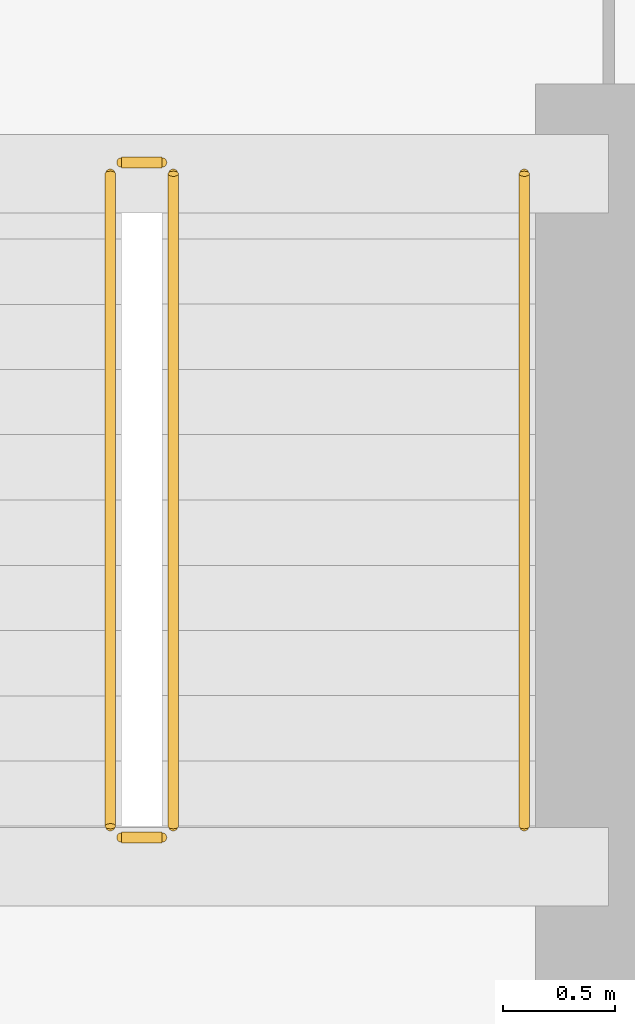
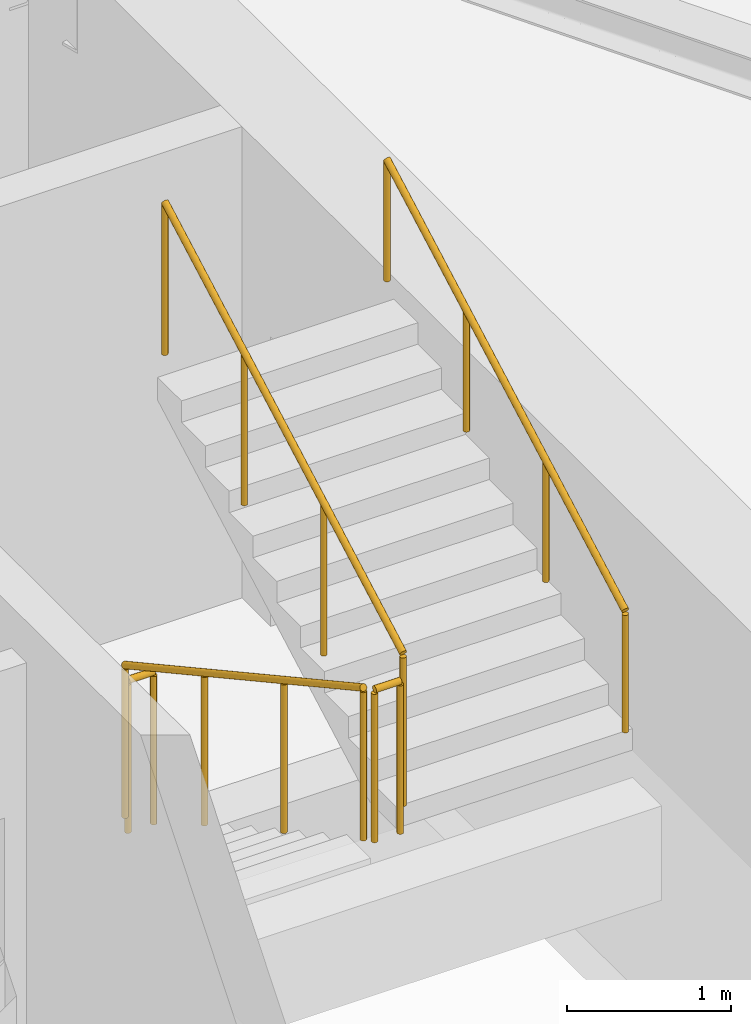
# One storey, part 9 of 9: 5 railings.
"""IFC4 building model written with IfcOpenShell, lengths in metres."""

import ifcopenshell
import ifcopenshell.guid

model = None  # the IFC model being written
_history = None  # IfcOwnerHistory: only IFC2X3 demands one
_inside = {}  # id of a spatial element -> (the spatial element, [elements in it])
_under = {}  # id of a project, library or spatial element -> (it, [spatial elements below it])
_declared = {}  # id of a project -> (the project, [libraries it declares])
_typed = {}  # id of a type object -> (the type object, [elements of that type])
_made_of = {}  # id of a material, layer set ... -> (it, [elements and type objects made of it])


def new_model(schema):
    """Start an empty IFC model of exactly this schema.

    Asked for "IFC4X3", IfcOpenShell would pick the latest addendum, in which some entities
    have other attributes; the version numbers below select the first issue.
    IFC2X3 requires an IfcOwnerHistory on every rooted entity: one is made here for all.
    """
    global model, _history
    if schema == "IFC4X3":
        model = ifcopenshell.file(schema_version=(4, 3, 0, 0))
    else:
        model = ifcopenshell.file(schema=schema)
    _inside.clear()
    _under.clear()
    _declared.clear()
    _typed.clear()
    _made_of.clear()
    _history = None
    if model.schema == "IFC2X3":
        org = make("IfcOrganization", Name="unknown")
        user = make(
            "IfcPersonAndOrganization",
            ThePerson=make("IfcPerson", FamilyName="unknown"),
            TheOrganization=org,
        )
        app = make(
            "IfcApplication",
            ApplicationDeveloper=org,
            Version="unknown",
            ApplicationFullName="unknown",
            ApplicationIdentifier="unknown",
        )
        _history = make(
            "IfcOwnerHistory",
            OwningUser=user,
            OwningApplication=app,
            ChangeAction="ADDED",
            CreationDate=0,
        )
    return model


def make(cls, **values):
    """One entity of the class cls with the attributes given. An attribute that is None is left unset."""
    return model.create_entity(
        cls, **{name: value for name, value in values.items() if value is not None}
    )


def rooted(cls, **values):
    """An entity with a GlobalId (a new one), such as an element, a storey or a relation."""
    return make(cls, GlobalId=ifcopenshell.guid.new(), OwnerHistory=_history, **values)


def si_unit(unit_type, name, prefix=None):
    """IfcSIUnit, for example si_unit("LENGTHUNIT", "METRE", prefix="MILLI")."""
    return make("IfcSIUnit", UnitType=unit_type, Prefix=prefix, Name=name)


def assignment(units):
    """IfcUnitAssignment: the units of a project."""
    return None if units is None else make("IfcUnitAssignment", Units=units)


def point(xyz):
    """IfcCartesianPoint."""
    return None if xyz is None else make("IfcCartesianPoint", Coordinates=xyz)


def direction(xyz):
    """IfcDirection."""
    return None if xyz is None else make("IfcDirection", DirectionRatios=xyz)


def frame(location, z_axis=None, x_axis=None):
    """IfcAxis2Placement3D, a coordinate frame: its origin and axes. An axis left out is left unset."""
    return make(
        "IfcAxis2Placement3D",
        Location=point(location),
        Axis=direction(z_axis),
        RefDirection=direction(x_axis),
    )


def frame_2d(location, x_axis=None):
    """IfcAxis2Placement2D, a coordinate frame in the plane: its origin and x axis."""
    return make(
        "IfcAxis2Placement2D", Location=point(location), RefDirection=direction(x_axis)
    )


def origin():
    """The frame at (0, 0, 0) with its axes left unset."""
    return frame((0.0, 0.0, 0.0))


def origin_2d():
    """The frame at (0, 0) in the plane with its x axis left unset."""
    return frame_2d((0.0, 0.0))


def place(relative_to, where):
    """IfcLocalPlacement: puts the frame where relative to a parent placement (None: the world)."""
    return make(
        "IfcLocalPlacement", PlacementRelTo=relative_to, RelativePlacement=where
    )


def context(
    kind, dimensions, precision=None, world=None, true_north=None, identifier=None
):
    """IfcGeometricRepresentationContext, for example the 3D "Model" context."""
    return make(
        "IfcGeometricRepresentationContext",
        ContextIdentifier=identifier,
        ContextType=kind,
        CoordinateSpaceDimension=dimensions,
        Precision=precision,
        WorldCoordinateSystem=world,
        TrueNorth=true_north,
    )


def subcontext(parent, identifier, kind, view, scale=None):
    """IfcGeometricRepresentationSubContext, for example "Body" below "Model"."""
    return make(
        "IfcGeometricRepresentationSubContext",
        ContextIdentifier=identifier,
        ContextType=kind,
        ParentContext=parent,
        TargetScale=scale,
        TargetView=view,
    )


def project(units=None, contexts=None):
    """IfcProject with its units and contexts."""
    return rooted(
        "IfcProject",
        Name="project",
        RepresentationContexts=contexts,
        UnitsInContext=assignment(units),
    )


def spatial(cls, under=None, at=None, **own):
    """A site, building, storey or space (cls), placed at a placement, below another one or the project."""
    s = rooted(cls, ObjectPlacement=at, **own)
    if under is not None:
        _under.setdefault(under.id(), (under, []))[1].append(s)
    return s


def profile(cls, at=None, kind="AREA", **sizes):
    """A parametric profile (cls). Its sizes go by their IFC names, for example OverallWidth=200.0."""
    return make(cls, ProfileType=kind, Position=at, **sizes)


def circle(**sizes):
    """IfcCircleProfileDef."""
    return profile("IfcCircleProfileDef", **sizes)


def extrude(swept, where, along, depth):
    """IfcExtrudedAreaSolid: the profile swept, set in the frame where, extruded along a direction by depth."""
    return make(
        "IfcExtrudedAreaSolid",
        SweptArea=swept,
        Position=where,
        ExtrudedDirection=direction(along),
        Depth=depth,
    )


def shape(context_of_items, identifier, shape_type, items):
    """IfcShapeRepresentation: the items that make up one representation, for example the "Body"."""
    return make(
        "IfcShapeRepresentation",
        ContextOfItems=context_of_items,
        RepresentationIdentifier=identifier,
        RepresentationType=shape_type,
        Items=items,
    )


def material(Name=None, Category=None):
    """IfcMaterial."""
    return make("IfcMaterial", Name=Name, Category=Category)


def made_of(thing, what):
    """Note that an element or type object is made of a material, layer set ...; save() writes the relation."""
    if what is not None:
        _made_of.setdefault(what.id(), (what, []))[1].append(thing)
    return thing


def type_object(cls, material=None, **own):
    """A type object (cls), such as IfcWallType, which elements share."""
    return made_of(rooted(cls, **own), material)


def element(
    cls,
    number,
    at=None,
    inside=None,
    cuts=None,
    type_object=None,
    material=None,
    context=None,
    identifier="Body",
    shape_type=None,
    held_by="IfcProductDefinitionShape",
    body=None,
    shapes=None,
    **own,
):
    """One element of the class cls, such as IfcWall. Its Tag is "e" and its number.

    at: its placement. inside: the storey or other place that contains it. cuts: it is an
    opening in that element (IfcRelVoidsElement). A single representation is given by context,
    identifier, shape_type and body (its items); several are given by shapes. held_by: the class
    of the entity that holds the representations. save() writes the other relations.
    """
    e = rooted(cls, Tag="e%d" % number, ObjectPlacement=at, **own)
    if body is not None:
        shapes = [shape(context, identifier, shape_type, body)]
    if shapes is not None:
        e.Representation = make(held_by, Representations=shapes)
    if inside is not None:
        _inside.setdefault(inside.id(), (inside, []))[1].append(e)
    if cuts is not None:
        rooted(
            "IfcRelVoidsElement", RelatingBuildingElement=cuts, RelatedOpeningElement=e
        )
    if type_object is not None:
        _typed.setdefault(type_object.id(), (type_object, []))[1].append(e)
    return made_of(e, material)


def aggregate(whole, parts):
    """IfcRelAggregates: a whole, such as a stair, and the parts it consists of."""
    return rooted("IfcRelAggregates", RelatingObject=whole, RelatedObjects=parts)


def save(model, path):
    """Write the relations noted so far, then the file.

    IfcRelAggregates (storeys below a building ...), IfcRelContainedInSpatialStructure (elements
    in a storey), IfcRelDefinesByType, IfcRelAssociatesMaterial and IfcRelDeclares: one each for
    every whole, place, type object, material and project.
    """
    for whole, parts in _under.values():
        aggregate(whole, parts)
    for where, things in _inside.values():
        rooted(
            "IfcRelContainedInSpatialStructure",
            RelatedElements=things,
            RelatingStructure=where,
        )
    for kind, things in _typed.values():
        rooted("IfcRelDefinesByType", RelatedObjects=things, RelatingType=kind)
    for what, things in _made_of.values():
        rooted("IfcRelAssociatesMaterial", RelatedObjects=things, RelatingMaterial=what)
    for by, libraries in _declared.values():
        rooted("IfcRelDeclares", RelatingContext=by, RelatedDefinitions=libraries)
    model.write(path)


model = new_model("IFC4")

# Units and contexts
model_context = context("Model", 3, precision=1e-05, world=origin(), true_north=direction((0.0, 1.0)))
body_context = subcontext(model_context, "Body", "Model", "MODEL_VIEW")
ifc_project = project(units=[si_unit("LENGTHUNIT", "METRE"), si_unit("AREAUNIT", "SQUARE_METRE"), si_unit("VOLUMEUNIT", "CUBIC_METRE"), si_unit("PLANEANGLEUNIT", "RADIAN"), si_unit("MASSUNIT", "GRAM", prefix="KILO")], contexts=[model_context])

# Site, building, storey
site_placement = place(None, origin())
site = spatial("IfcSite", under=ifc_project, at=site_placement, CompositionType="ELEMENT")
building_placement = place(site_placement, origin())
building = spatial("IfcBuilding", under=site, at=building_placement, Name="Calvemar Wedge Station Tower", CompositionType="ELEMENT")
storey_placement = place(building_placement, frame((0.0, 0.0, 211.39990234375)))
storey = spatial("IfcBuildingStorey", under=building, at=storey_placement, Name="L53", CompositionType="ELEMENT", Elevation=211.39990234375)

# Railings
ifc_material_1 = material(Name="Stainless steel AISI 316L", Category="steel")
railing_type_1 = type_object("IfcRailingType", Name="RL-HANDRAIL-920", PredefinedType="HANDRAIL", material=ifc_material_1)
railing_1_placement = place(storey_placement, frame((30.949951171875, 38.25, 1.9091796875)))
element("IfcRailing", 1, at=railing_1_placement, inside=storey, type_object=railing_type_1, Name="L53 ST-C2 stair handrail 2", PredefinedType="HANDRAIL", context=body_context, shape_type="SweptSolid", body=[
    extrude(circle(Radius=0.02392578125, at=origin_2d()), frame((0.0, 0.0, 0.89599609375), z_axis=(0.0, 0.876742130028, 0.480960744171), x_axis=(-1.0, 0.0, 0.0)), (0.0, 0.0, 1.0), 3.3076171875),
    extrude(circle(Radius=0.02099609375, at=origin_2d()), origin(), (0.0, 0.0, 1.0), 0.871826171875),
    extrude(circle(Radius=0.02099609375, at=origin_2d()), frame((0.0, 0.966552734375, 0.5302734375)), (0.0, 0.0, 1.0), 0.871826171875),
    extrude(circle(Radius=0.02099609375, at=origin_2d()), frame((0.0, 1.933349609375, 1.060546875)), (0.0, 0.0, 1.0), 0.871826171875),
    extrude(circle(Radius=0.02099609375, at=origin_2d()), frame((0.0, 2.89990234375, 1.5908203125)), (0.0, 0.0, 1.0), 0.871826171875),
])
ifc_material_2 = material(Name="Painted steel guardrail ASTM A500 Grade C", Category="steel")
railing_type_2 = type_object("IfcRailingType", Name="RL-STAIR-GUARD-1150", PredefinedType="GUARDRAIL", material=ifc_material_2)
railing_2_placement = place(storey_placement, frame((29.110107421875, 41.14990234375, 0.1591796875)))
element("IfcRailing", 2, at=railing_2_placement, inside=storey, type_object=railing_type_2, Name="L53 ST-C2 stair guard 1", PredefinedType="GUARDRAIL", context=body_context, shape_type="SweptSolid", body=[
    extrude(circle(Radius=0.02392578125, at=origin_2d()), frame((0.0, 0.0, 1.1259765625), z_axis=(0.0, -0.876742130028, 0.480960744171), x_axis=(1.0, 0.0, 0.0)), (0.0, 0.0, 1.0), 3.3076171875),
    extrude(circle(Radius=0.02099609375, at=origin_2d()), origin(), (0.0, 0.0, 1.0), 1.101806640625),
    extrude(circle(Radius=0.02099609375, at=origin_2d()), frame((0.0, -0.966552734375, 0.5302734375)), (0.0, 0.0, 1.0), 1.101806640625),
    extrude(circle(Radius=0.02099609375, at=origin_2d()), frame((0.0, -1.933349609375, 1.060546875)), (0.0, 0.0, 1.0), 1.101806640625),
    extrude(circle(Radius=0.02099609375, at=origin_2d()), frame((0.0, -2.89990234375, 1.5908203125)), (0.0, 0.0, 1.0), 1.101806640625),
])
railing_3_placement = place(storey_placement, frame((29.159912109375, 38.199951171875, 1.75)))
element("IfcRailing", 3, at=railing_3_placement, inside=storey, type_object=railing_type_2, Name="L53 ST-C2 stair guard 2", PredefinedType="GUARDRAIL", context=body_context, shape_type="SweptSolid", body=[
    extrude(circle(Radius=0.02392578125, at=origin_2d()), frame((0.0, 0.0, 1.1259765625), z_axis=(1.0, 0.0, 0.0), x_axis=(0.0, 1.0, 0.0)), (0.0, 0.0, 1.0), 0.18017578125),
    extrude(circle(Radius=0.02099609375, at=origin_2d()), origin(), (0.0, 0.0, 1.0), 1.101806640625),
    extrude(circle(Radius=0.02099609375, at=origin_2d()), frame((0.18017578125, 0.0, 0.0)), (0.0, 0.0, 1.0), 1.101806640625),
])
railing_4_placement = place(storey_placement, frame((29.389892578125, 38.25, 1.9091796875)))
element("IfcRailing", 4, at=railing_4_placement, inside=storey, type_object=railing_type_2, Name="L53 ST-C2 stair guard 3", PredefinedType="GUARDRAIL", context=body_context, shape_type="SweptSolid", body=[
    extrude(circle(Radius=0.02392578125, at=origin_2d()), frame((0.0, 0.0, 1.1259765625), z_axis=(0.0, 0.876742130028, 0.480960744171), x_axis=(-1.0, 0.0, 0.0)), (0.0, 0.0, 1.0), 3.3076171875),
    extrude(circle(Radius=0.02099609375, at=origin_2d()), origin(), (0.0, 0.0, 1.0), 1.101806640625),
    extrude(circle(Radius=0.02099609375, at=origin_2d()), frame((0.0, 0.966552734375, 0.5302734375)), (0.0, 0.0, 1.0), 1.101806640625),
    extrude(circle(Radius=0.02099609375, at=origin_2d()), frame((0.0, 1.933349609375, 1.060546875)), (0.0, 0.0, 1.0), 1.101806640625),
    extrude(circle(Radius=0.02099609375, at=origin_2d()), frame((0.0, 2.89990234375, 1.5908203125)), (0.0, 0.0, 1.0), 1.101806640625),
])
railing_5_placement = place(storey_placement, frame((29.159912109375, 41.199951171875, 0.0)))
element("IfcRailing", 5, at=railing_5_placement, inside=storey, type_object=railing_type_2, Name="L53 ST-C2 stair guard 4", PredefinedType="GUARDRAIL", context=body_context, shape_type="SweptSolid", body=[
    extrude(circle(Radius=0.02392578125, at=origin_2d()), frame((0.0, 0.0, 1.1259765625), z_axis=(1.0, 0.0, 0.0), x_axis=(0.0, 1.0, 0.0)), (0.0, 0.0, 1.0), 0.18017578125),
    extrude(circle(Radius=0.02099609375, at=origin_2d()), origin(), (0.0, 0.0, 1.0), 1.101806640625),
    extrude(circle(Radius=0.02099609375, at=origin_2d()), frame((0.18017578125, 0.0, 0.0)), (0.0, 0.0, 1.0), 1.101806640625),
])

save(model, "model.ifc")
